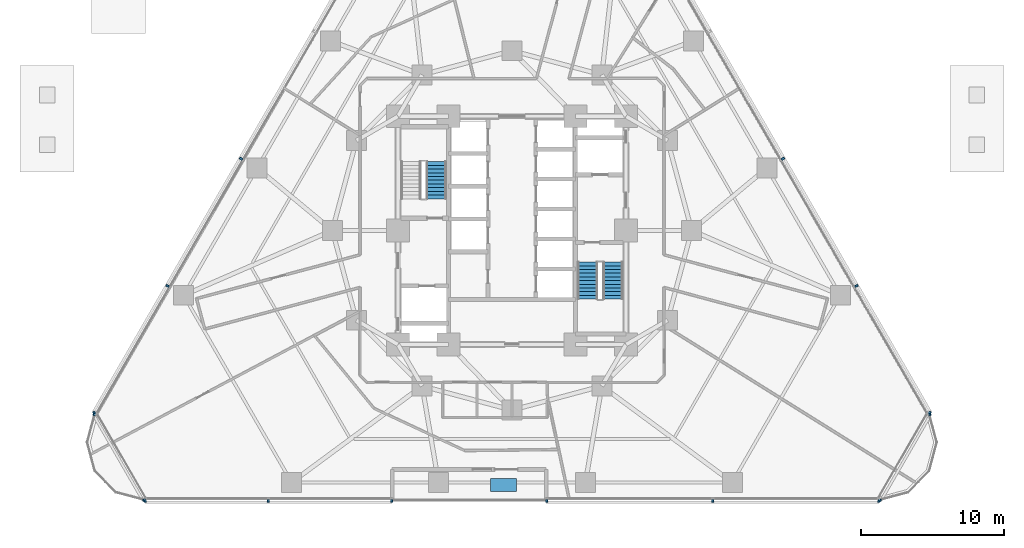
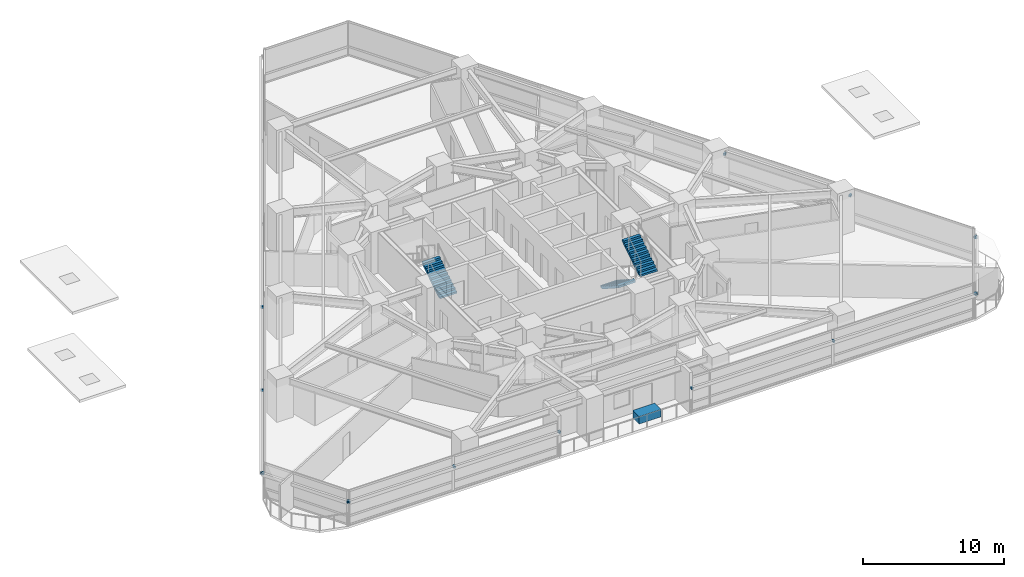
# One storey, part 11 of 16: 17 discrete accessories, 3 stair flights, 2 elements without a shape of their own.
"""IFC4 building model written with IfcOpenShell, lengths in metres."""

import ifcopenshell
import ifcopenshell.guid

model = None  # the IFC model being written
_history = None  # IfcOwnerHistory: only IFC2X3 demands one
_inside = {}  # id of a spatial element -> (the spatial element, [elements in it])
_under = {}  # id of a project, library or spatial element -> (it, [spatial elements below it])
_declared = {}  # id of a project -> (the project, [libraries it declares])
_typed = {}  # id of a type object -> (the type object, [elements of that type])
_made_of = {}  # id of a material, layer set ... -> (it, [elements and type objects made of it])


def new_model(schema):
    """Start an empty IFC model of exactly this schema.

    Asked for "IFC4X3", IfcOpenShell would pick the latest addendum, in which some entities
    have other attributes; the version numbers below select the first issue.
    IFC2X3 requires an IfcOwnerHistory on every rooted entity: one is made here for all.
    """
    global model, _history
    if schema == "IFC4X3":
        model = ifcopenshell.file(schema_version=(4, 3, 0, 0))
    else:
        model = ifcopenshell.file(schema=schema)
    _inside.clear()
    _under.clear()
    _declared.clear()
    _typed.clear()
    _made_of.clear()
    _history = None
    if model.schema == "IFC2X3":
        org = make("IfcOrganization", Name="unknown")
        user = make(
            "IfcPersonAndOrganization",
            ThePerson=make("IfcPerson", FamilyName="unknown"),
            TheOrganization=org,
        )
        app = make(
            "IfcApplication",
            ApplicationDeveloper=org,
            Version="unknown",
            ApplicationFullName="unknown",
            ApplicationIdentifier="unknown",
        )
        _history = make(
            "IfcOwnerHistory",
            OwningUser=user,
            OwningApplication=app,
            ChangeAction="ADDED",
            CreationDate=0,
        )
    return model


def make(cls, **values):
    """One entity of the class cls with the attributes given. An attribute that is None is left unset."""
    return model.create_entity(
        cls, **{name: value for name, value in values.items() if value is not None}
    )


def rooted(cls, **values):
    """An entity with a GlobalId (a new one), such as an element, a storey or a relation."""
    return make(cls, GlobalId=ifcopenshell.guid.new(), OwnerHistory=_history, **values)


def si_unit(unit_type, name, prefix=None):
    """IfcSIUnit, for example si_unit("LENGTHUNIT", "METRE", prefix="MILLI")."""
    return make("IfcSIUnit", UnitType=unit_type, Prefix=prefix, Name=name)


def assignment(units):
    """IfcUnitAssignment: the units of a project."""
    return None if units is None else make("IfcUnitAssignment", Units=units)


def point(xyz):
    """IfcCartesianPoint."""
    return None if xyz is None else make("IfcCartesianPoint", Coordinates=xyz)


def direction(xyz):
    """IfcDirection."""
    return None if xyz is None else make("IfcDirection", DirectionRatios=xyz)


def frame(location, z_axis=None, x_axis=None):
    """IfcAxis2Placement3D, a coordinate frame: its origin and axes. An axis left out is left unset."""
    return make(
        "IfcAxis2Placement3D",
        Location=point(location),
        Axis=direction(z_axis),
        RefDirection=direction(x_axis),
    )


def frame_2d(location, x_axis=None):
    """IfcAxis2Placement2D, a coordinate frame in the plane: its origin and x axis."""
    return make(
        "IfcAxis2Placement2D", Location=point(location), RefDirection=direction(x_axis)
    )


def origin():
    """The frame at (0, 0, 0) with its axes left unset."""
    return frame((0.0, 0.0, 0.0))


def origin_2d():
    """The frame at (0, 0) in the plane with its x axis left unset."""
    return frame_2d((0.0, 0.0))


def place(relative_to, where):
    """IfcLocalPlacement: puts the frame where relative to a parent placement (None: the world)."""
    return make(
        "IfcLocalPlacement", PlacementRelTo=relative_to, RelativePlacement=where
    )


def context(
    kind, dimensions, precision=None, world=None, true_north=None, identifier=None
):
    """IfcGeometricRepresentationContext, for example the 3D "Model" context."""
    return make(
        "IfcGeometricRepresentationContext",
        ContextIdentifier=identifier,
        ContextType=kind,
        CoordinateSpaceDimension=dimensions,
        Precision=precision,
        WorldCoordinateSystem=world,
        TrueNorth=true_north,
    )


def subcontext(parent, identifier, kind, view, scale=None):
    """IfcGeometricRepresentationSubContext, for example "Body" below "Model"."""
    return make(
        "IfcGeometricRepresentationSubContext",
        ContextIdentifier=identifier,
        ContextType=kind,
        ParentContext=parent,
        TargetScale=scale,
        TargetView=view,
    )


def project(units=None, contexts=None):
    """IfcProject with its units and contexts."""
    return rooted(
        "IfcProject",
        Name="project",
        RepresentationContexts=contexts,
        UnitsInContext=assignment(units),
    )


def spatial(cls, under=None, at=None, **own):
    """A site, building, storey or space (cls), placed at a placement, below another one or the project."""
    s = rooted(cls, ObjectPlacement=at, **own)
    if under is not None:
        _under.setdefault(under.id(), (under, []))[1].append(s)
    return s


def polyline(points):
    """IfcPolyline through the points."""
    return make("IfcPolyline", Points=[point(p) for p in points])


def profile(cls, at=None, kind="AREA", **sizes):
    """A parametric profile (cls). Its sizes go by their IFC names, for example OverallWidth=200.0."""
    return make(cls, ProfileType=kind, Position=at, **sizes)


def rectangle(**sizes):
    """IfcRectangleProfileDef."""
    return profile("IfcRectangleProfileDef", **sizes)


def outline(outer, holes=None, kind="AREA"):
    """IfcArbitraryClosedProfileDef: a profile drawn as a closed curve; with holes, ...WithVoids."""
    if holes is None:
        return make("IfcArbitraryClosedProfileDef", ProfileType=kind, OuterCurve=outer)
    return make(
        "IfcArbitraryProfileDefWithVoids",
        ProfileType=kind,
        OuterCurve=outer,
        InnerCurves=holes,
    )


def extrude(swept, where, along, depth):
    """IfcExtrudedAreaSolid: the profile swept, set in the frame where, extruded along a direction by depth."""
    return make(
        "IfcExtrudedAreaSolid",
        SweptArea=swept,
        Position=where,
        ExtrudedDirection=direction(along),
        Depth=depth,
    )


def shape(context_of_items, identifier, shape_type, items):
    """IfcShapeRepresentation: the items that make up one representation, for example the "Body"."""
    return make(
        "IfcShapeRepresentation",
        ContextOfItems=context_of_items,
        RepresentationIdentifier=identifier,
        RepresentationType=shape_type,
        Items=items,
    )


def material(Name=None, Category=None):
    """IfcMaterial."""
    return make("IfcMaterial", Name=Name, Category=Category)


def made_of(thing, what):
    """Note that an element or type object is made of a material, layer set ...; save() writes the relation."""
    if what is not None:
        _made_of.setdefault(what.id(), (what, []))[1].append(thing)
    return thing


def type_object(cls, material=None, **own):
    """A type object (cls), such as IfcWallType, which elements share."""
    return made_of(rooted(cls, **own), material)


def element(
    cls,
    number,
    at=None,
    inside=None,
    cuts=None,
    type_object=None,
    material=None,
    context=None,
    identifier="Body",
    shape_type=None,
    held_by="IfcProductDefinitionShape",
    body=None,
    shapes=None,
    **own,
):
    """One element of the class cls, such as IfcWall. Its Tag is "e" and its number.

    at: its placement. inside: the storey or other place that contains it. cuts: it is an
    opening in that element (IfcRelVoidsElement). A single representation is given by context,
    identifier, shape_type and body (its items); several are given by shapes. held_by: the class
    of the entity that holds the representations. save() writes the other relations.
    """
    e = rooted(cls, Tag="e%d" % number, ObjectPlacement=at, **own)
    if body is not None:
        shapes = [shape(context, identifier, shape_type, body)]
    if shapes is not None:
        e.Representation = make(held_by, Representations=shapes)
    if inside is not None:
        _inside.setdefault(inside.id(), (inside, []))[1].append(e)
    if cuts is not None:
        rooted(
            "IfcRelVoidsElement", RelatingBuildingElement=cuts, RelatedOpeningElement=e
        )
    if type_object is not None:
        _typed.setdefault(type_object.id(), (type_object, []))[1].append(e)
    return made_of(e, material)


def aggregate(whole, parts):
    """IfcRelAggregates: a whole, such as a stair, and the parts it consists of."""
    return rooted("IfcRelAggregates", RelatingObject=whole, RelatedObjects=parts)


def save(model, path):
    """Write the relations noted so far, then the file.

    IfcRelAggregates (storeys below a building ...), IfcRelContainedInSpatialStructure (elements
    in a storey), IfcRelDefinesByType, IfcRelAssociatesMaterial and IfcRelDeclares: one each for
    every whole, place, type object, material and project.
    """
    for whole, parts in _under.values():
        aggregate(whole, parts)
    for where, things in _inside.values():
        rooted(
            "IfcRelContainedInSpatialStructure",
            RelatedElements=things,
            RelatingStructure=where,
        )
    for kind, things in _typed.values():
        rooted("IfcRelDefinesByType", RelatedObjects=things, RelatingType=kind)
    for what, things in _made_of.values():
        rooted("IfcRelAssociatesMaterial", RelatedObjects=things, RelatingMaterial=what)
    for by, libraries in _declared.values():
        rooted("IfcRelDeclares", RelatingContext=by, RelatedDefinitions=libraries)
    model.write(path)


model = new_model("IFC4")

# Units and contexts
model_context = context("Model", 3, precision=1e-05, world=origin(), true_north=direction((0.0, 1.0)))
body_context = subcontext(model_context, "Body", "Model", "MODEL_VIEW")
ifc_project = project(units=[si_unit("LENGTHUNIT", "METRE"), si_unit("AREAUNIT", "SQUARE_METRE"), si_unit("VOLUMEUNIT", "CUBIC_METRE"), si_unit("PLANEANGLEUNIT", "RADIAN"), si_unit("MASSUNIT", "GRAM", prefix="KILO")], contexts=[model_context])

# Site, building, storey
site_placement = place(None, origin())
site = spatial("IfcSite", under=ifc_project, at=site_placement, CompositionType="ELEMENT")
building_placement = place(site_placement, origin())
building = spatial("IfcBuilding", under=site, at=building_placement, Name="Terralouvre Media Tower", CompositionType="ELEMENT")
storey_placement = place(building_placement, frame((0.0, 0.0, 29.699951171875)))
storey = spatial("IfcBuildingStorey", under=building, at=storey_placement, Name="L06", CompositionType="ELEMENT", Elevation=29.699951171875)

# Stair, stair flight
ifc_material_1 = material(Name="Concrete C45/55", Category="concrete")
stair_type_1 = type_object("IfcStairType", Name="Dogleg Stair Assembly ST-01", PredefinedType="HALF_TURN_STAIR", material=ifc_material_1)
stair_1_placement = place(storey_placement, origin())
stair_1 = element("IfcStair", 1, at=stair_1_placement, inside=storey, type_object=stair_type_1, Name="L06 Core Pressurised Exit Stair ST-01", PredefinedType="HALF_TURN_STAIR")
ifc_material_2 = material(Name="Concrete C45/55", Category="concrete")
stair_flight_type = type_object("IfcStairFlightType", Name="Reinforced Concrete Stair Flight SF-RC1", PredefinedType="STRAIGHT", material=ifc_material_2)
stair_flight_1_placement = place(storey_placement, frame((-5.300048828125, 2.219970703125, 0.0), z_axis=(0.0, 0.0, 1.0), x_axis=(0.0, 1.0, 0.0)))
stair_flight_1 = element("IfcStairFlight", 2, at=stair_flight_1_placement, type_object=stair_flight_type, Name="ST-01 flight 1", NumberOfRisers=11, NumberOfTreads=10, PredefinedType="STRAIGHT", RiserHeight=0.168181818, TreadLength=0.26, context=body_context, shape_type="SweptSolid", body=[
    extrude(outline(polyline([(0.0, 0.0), (0.0, 0.168212890625), (0.260009765625, 0.168212890625), (0.260009765625, 0.33642578125), (0.52001953125, 0.33642578125), (0.52001953125, 0.504638671875), (0.780029296875, 0.504638671875), (0.780029296875, 0.672607421875), (1.0400390625, 0.672607421875), (1.0400390625, 0.8408203125), (1.300048828125, 0.8408203125), (1.300048828125, 1.009033203125), (1.56005859375, 1.009033203125), (1.56005859375, 1.17724609375), (1.820068359375, 1.17724609375), (1.820068359375, 1.345458984375), (2.080078125, 1.345458984375), (2.080078125, 1.513671875), (2.340087890625, 1.513671875), (2.340087890625, 1.681884765625), (2.60009765625, 1.681884765625), (2.60009765625, 1.85009765625), (2.60009765625, 1.503173828125), (0.27587890625, 0.0), (0.0, 0.0)])), frame((0.0, 0.699951171875, 0.0), z_axis=(0.0, -1.0, 0.0), x_axis=(1.0, 0.0, 0.0)), (0.0, 0.0, 1.0), 1.39990234375),
])
aggregate(stair_1, [stair_flight_1])

# Stair, stair flights
ifc_material_3 = material(Name="Concrete C45/55", Category="concrete")
stair_type_2 = type_object("IfcStairType", Name="Dogleg Stair Assembly ST-02", PredefinedType="HALF_TURN_STAIR", material=ifc_material_3)
stair_2_placement = place(storey_placement, origin())
stair_2 = element("IfcStair", 3, at=stair_2_placement, inside=storey, type_object=stair_type_2, Name="L06 Core Pressurised Exit Stair ST-02", PredefinedType="HALF_TURN_STAIR")
stair_flight_2_placement = place(storey_placement, frame((5.300048828125, -2.219970703125, 0.0), z_axis=(0.0, 0.0, 1.0), x_axis=(0.0, -1.0, 0.0)))
stair_flight_2 = element("IfcStairFlight", 4, at=stair_flight_2_placement, type_object=stair_flight_type, Name="ST-02 flight 1", NumberOfRisers=11, NumberOfTreads=10, PredefinedType="STRAIGHT", RiserHeight=0.168181818, TreadLength=0.26, context=body_context, shape_type="SweptSolid", body=[
    extrude(outline(polyline([(0.0, 0.0), (0.0, 0.168212890625), (0.260009765625, 0.168212890625), (0.260009765625, 0.33642578125), (0.52001953125, 0.33642578125), (0.52001953125, 0.504638671875), (0.780029296875, 0.504638671875), (0.780029296875, 0.672607421875), (1.0400390625, 0.672607421875), (1.0400390625, 0.8408203125), (1.300048828125, 0.8408203125), (1.300048828125, 1.009033203125), (1.56005859375, 1.009033203125), (1.56005859375, 1.17724609375), (1.820068359375, 1.17724609375), (1.820068359375, 1.345458984375), (2.080078125, 1.345458984375), (2.080078125, 1.513671875), (2.340087890625, 1.513671875), (2.340087890625, 1.681884765625), (2.60009765625, 1.681884765625), (2.60009765625, 1.85009765625), (2.60009765625, 1.503173828125), (0.27587890625, 0.0), (0.0, 0.0)])), frame((0.0, 0.699951171875, 0.0), z_axis=(0.0, -1.0, 0.0), x_axis=(1.0, 0.0, 0.0)), (0.0, 0.0, 1.0), 1.39990234375),
])
stair_flight_3_placement = place(storey_placement, frame((7.080078125, -4.820068359375, 1.85009765625), z_axis=(0.0, 0.0, 1.0), x_axis=(0.0, 1.0, 0.0)))
stair_flight_3 = element("IfcStairFlight", 5, at=stair_flight_3_placement, type_object=stair_flight_type, Name="ST-02 flight 2", NumberOfRisers=11, NumberOfTreads=10, PredefinedType="STRAIGHT", RiserHeight=0.168181818, TreadLength=0.26, context=body_context, shape_type="SweptSolid", body=[
    extrude(outline(polyline([(0.0, 0.0), (0.0, 0.168212890625), (0.260009765625, 0.168212890625), (0.260009765625, 0.33642578125), (0.52001953125, 0.33642578125), (0.52001953125, 0.504638671875), (0.780029296875, 0.504638671875), (0.780029296875, 0.672607421875), (1.0400390625, 0.672607421875), (1.0400390625, 0.8408203125), (1.300048828125, 0.8408203125), (1.300048828125, 1.009033203125), (1.56005859375, 1.009033203125), (1.56005859375, 1.17724609375), (1.820068359375, 1.17724609375), (1.820068359375, 1.345458984375), (2.080078125, 1.345458984375), (2.080078125, 1.513671875), (2.340087890625, 1.513671875), (2.340087890625, 1.681884765625), (2.60009765625, 1.681884765625), (2.60009765625, 1.85009765625), (2.60009765625, 1.503173828125), (0.27587890625, 0.0), (0.0, 0.0)])), frame((0.0, 0.699951171875, 0.0), z_axis=(0.0, -1.0, 0.0), x_axis=(1.0, 0.0, 0.0)), (0.0, 0.0, 1.0), 1.39990234375),
])
aggregate(stair_2, [stair_flight_2, stair_flight_3])

# Discrete accessories
ifc_material_4 = material(Name="Anodised extruded aluminium 6063-T6", Category="aluminium")
discrete_accessory_type_1 = type_object("IfcDiscreteAccessoryType", Name="Mullion Stand-Off Baguette Fixing Bracket BK-01", PredefinedType="BRACKET", material=ifc_material_4)
for number, where, z_axis, x_axis, name in (
    (6, (-25.71240234375, -18.956787109375, 2.07421875), (0.0, 0.0, 1.0), (1.0, 0.0, 0.0), "CW-L06-F0L Baguette Outrigger Bracket 1.01"),
    (7, (-17.074951171875, -18.956787109375, 2.07421875), (0.0, 0.0, 1.0), (1.0, 0.0, 0.0), "CW-L06-F0L Baguette Outrigger Bracket 1.02"),
    (8, (-8.4375, -18.956787109375, 2.07421875), (0.0, 0.0, 1.0), (1.0, 0.0, 0.0), "CW-L06-F0L Baguette Outrigger Bracket 1.03"),
    (9, (2.4375, -18.956787109375, 2.07421875), (0.0, 0.0, 1.0), (1.0, 0.0, 0.0), "CW-L06-F0R Baguette Outrigger Bracket 1.01"),
    (10, (14.074951171875, -18.956787109375, 2.07421875), (0.0, 0.0, 1.0), (1.0, 0.0, 0.0), "CW-L06-F0R Baguette Outrigger Bracket 1.02"),
    (11, (25.71240234375, -18.956787109375, 2.07421875), (0.0, 0.0, 1.0), (1.0, 0.0, 0.0), "CW-L06-F0R Baguette Outrigger Bracket 1.03"),
    (12, (29.273193359375, -12.789306640625, 2.07421875), (0.0, 0.0, 1.0), (-0.499999985671, 0.866025412057, 0.0), "CW-L06-F1 Baguette Outrigger Bracket 1.01"),
    (13, (24.14208984375, -3.901611328125, 2.07421875), (0.0, 0.0, 1.0), (-0.499999985671, 0.866025412057, 0.0), "CW-L06-F1 Baguette Outrigger Bracket 1.02"),
    (14, (18.991943359375, 5.018310546875, 2.07421875), (0.0, 0.0, 1.0), (-0.499999985671, 0.866025412057, 0.0), "CW-L06-F1 Baguette Outrigger Bracket 1.03"),
    (15, (-18.991943359375, 5.018310546875, 2.07421875), (0.0, 0.0, 1.0), (-0.499999985671, -0.866025412057, 0.0), "CW-L06-F2 Baguette Outrigger Bracket 1.04"),
    (16, (-24.14208984375, -3.901611328125, 2.07421875), (0.0, 0.0, 1.0), (-0.499999985671, -0.866025412057, 0.0), "CW-L06-F2 Baguette Outrigger Bracket 1.05"),
    (17, (-29.273193359375, -12.789306640625, 2.07421875), (0.0, 0.0, 1.0), (-0.499999985671, -0.866025412057, 0.0), "CW-L06-F2 Baguette Outrigger Bracket 1.06"),
    (18, (-29.255859375, -12.88427734375, 2.07421875), (0.0, 0.0, 1.0), (0.499999691503, -0.866025581895, 0.0), "CW-L06-C0 Baguette Outrigger Bracket 1.01"),
    (19, (-25.7861328125, -18.894287109375, 2.07421875), (0.0, 0.0, 1.0), (0.499999691503, -0.866025581895, 0.0), "CW-L06-C0 Baguette Outrigger Bracket 1.02"),
    (20, (25.7861328125, -18.894287109375, 2.07421875), (0.0, 0.0, 1.0), (0.499999691503, 0.866025581895, 0.0), "CW-L06-C1 Baguette Outrigger Bracket 1.01"),
    (21, (29.255859375, -12.88427734375, 2.07421875), (0.0, 0.0, 1.0), (0.499999691503, 0.866025581895, 0.0), "CW-L06-C1 Baguette Outrigger Bracket 1.02"),
):
    element("IfcDiscreteAccessory", number, at=place(storey_placement, frame(where, z_axis=z_axis, x_axis=x_axis)), inside=storey, type_object=discrete_accessory_type_1, Name=name, PredefinedType="BRACKET", context=body_context, shape_type="SweptSolid", body=[
        extrude(rectangle(XDim=0.139892578125, YDim=0.239990234375, at=origin_2d()), origin(), (0.0, 0.0, 1.0), 0.179931640625),
    ])
ifc_material_5 = material(Name="Kiln-fired architectural terracotta rainscreen cladding", Category="masonry")
discrete_accessory_type_2 = type_object("IfcDiscreteAccessoryType", Name="Planted Tropical Garden Bed Planter PLT-01", PredefinedType="USERDEFINED", material=ifc_material_5)
discrete_accessory_placement = place(storey_placement, frame((-0.60009765625, -17.841796875, -0.0048828125), z_axis=(0.0, 0.0, 1.0), x_axis=(1.0, 0.0, 0.0)))
element("IfcDiscreteAccessory", 22, at=discrete_accessory_placement, inside=storey, type_object=discrete_accessory_type_2, Name="L06 SG Planted Garden Bed Planter", ObjectType="PLANTER", PredefinedType="USERDEFINED", context=body_context, shape_type="SweptSolid", body=[
    extrude(rectangle(XDim=1.800048828125, YDim=0.89990234375, at=origin_2d()), origin(), (0.0, 0.0, 1.0), 0.64990234375),
])

save(model, "model.ifc")
